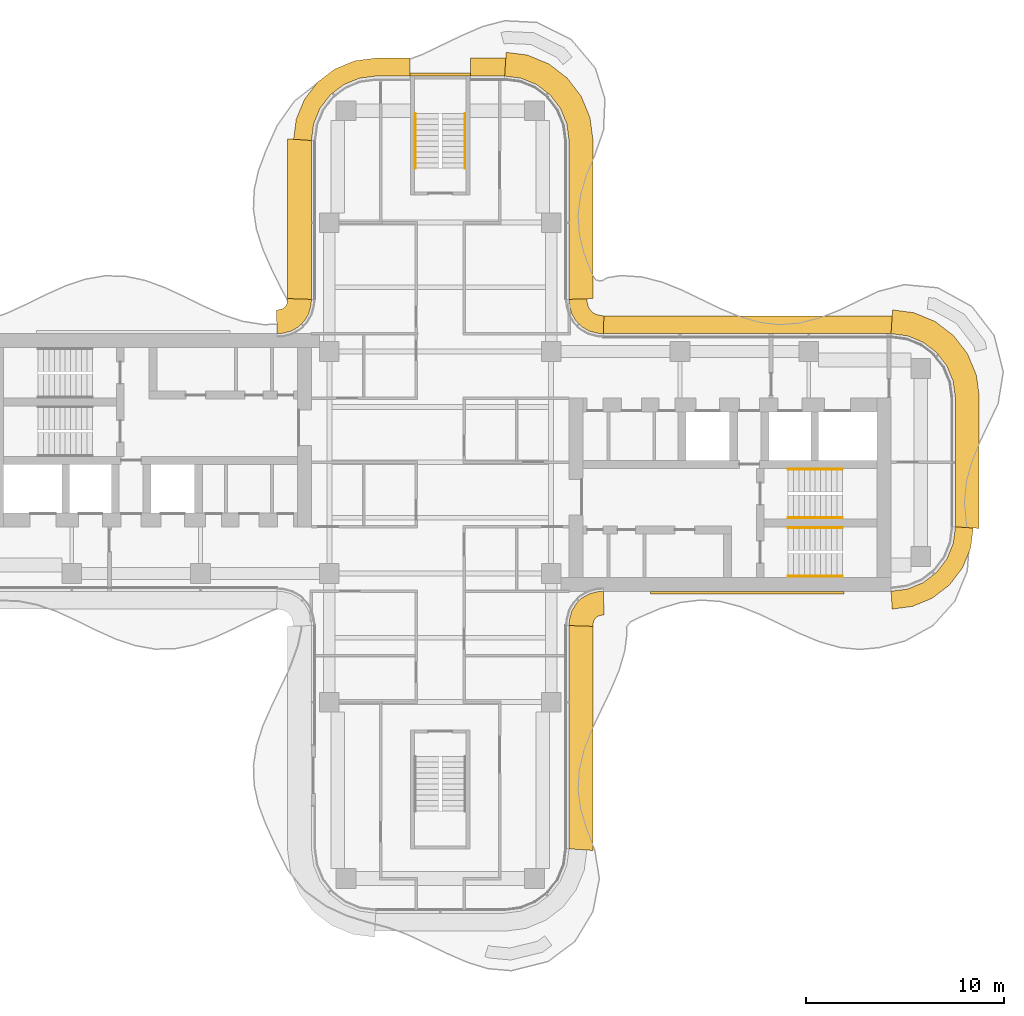
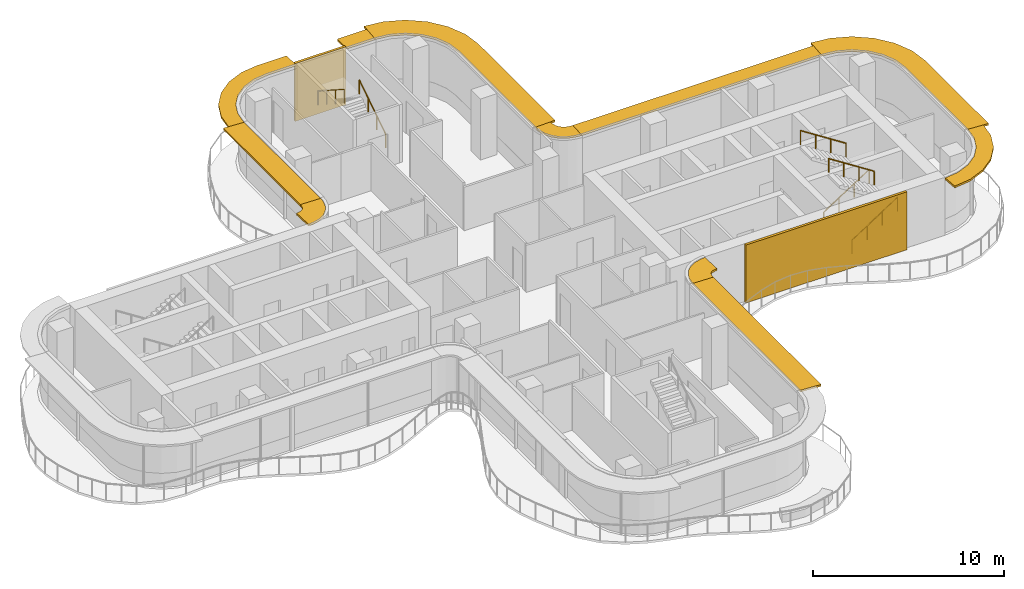
# One storey, part 16 of 16: 11 shading devices, 6 railings, 2 coverings.
"""IFC4 building model written with IfcOpenShell, lengths in metres."""

from ifc_helpers import new_model, si_unit, direction, frame, origin, origin_2d, place, context, subcontext, project, spatial, polyline, circle, outline, extrude, source, transform, mapped, material, layer, layer_set, type_object, element, save


model = new_model("IFC4")

# Units and contexts
model_context = context("Model", 3, precision=1e-05, world=origin(), true_north=direction((0.0, 1.0)))
body_context = subcontext(model_context, "Body", "Model", "MODEL_VIEW")
ifc_project = project(units=[si_unit("LENGTHUNIT", "METRE"), si_unit("AREAUNIT", "SQUARE_METRE"), si_unit("VOLUMEUNIT", "CUBIC_METRE"), si_unit("PLANEANGLEUNIT", "RADIAN"), si_unit("MASSUNIT", "GRAM", prefix="KILO")], contexts=[model_context])

# Site, building, storey
site_placement = place(None, origin())
site = spatial("IfcSite", under=ifc_project, at=site_placement, CompositionType="ELEMENT")
building_placement = place(site_placement, origin())
building = spatial("IfcBuilding", under=site, at=building_placement, Name="Trellis Farm Tower", CompositionType="ELEMENT")
storey_placement = place(building_placement, frame((0.0, 0.0, 306.699951171875)))
storey = spatial("IfcBuildingStorey", under=building, at=storey_placement, Name="L69", CompositionType="ELEMENT", Elevation=306.699951171875)

# Railings
ifc_material_1 = material(Name="Stainless steel", Category="steel")
railing_type = type_object("IfcRailingType", Name="STAIR HANDRAIL 900", PredefinedType="HANDRAIL", material=ifc_material_1)
shared_shape_1 = source(origin(), body_context, "Body", "SweptSolid", [
    extrude(circle(Radius=0.02392578125, at=origin_2d()), frame((0.0, 0.0, 0.8759765625), z_axis=(0.0, 0.840503830235, 0.541805602924), x_axis=(-1.0, 0.0, 0.0)), (0.0, 0.0, 1.0), 3.271728515625),
    extrude(circle(Radius=0.02099609375, at=origin_2d()), origin(), (0.0, 0.0, 1.0), 0.851806640625),
    extrude(circle(Radius=0.02099609375, at=origin_2d()), frame((0.0, 0.916748046875, 0.5908203125)), (0.0, 0.0, 1.0), 0.851806640625),
    extrude(circle(Radius=0.02099609375, at=origin_2d()), frame((0.0, 1.833251953125, 1.181884765625)), (0.0, 0.0, 1.0), 0.851806640625),
    extrude(circle(Radius=0.02099609375, at=origin_2d()), frame((0.0, 2.75, 1.772705078125)), (0.0, 0.0, 1.0), 0.851806640625),
])
railing_1_placement = place(storey_placement, frame((1.25, 14.85009765625, 0.17724609375)))
element("IfcRailing", 1, at=railing_1_placement, inside=storey, type_object=railing_type, Name="Stair handrail", PredefinedType="HANDRAIL", context=body_context, shape_type="MappedRepresentation", body=[
    mapped(shared_shape_1, transform((0.0, 0.0, 0.0))),
])
shared_shape_2 = source(origin(), body_context, "Body", "SweptSolid", [
    extrude(circle(Radius=0.02392578125, at=origin_2d()), frame((0.0, 0.0, 0.8759765625), z_axis=(0.0, -0.840503830235, 0.541805602924), x_axis=(1.0, 0.0, 0.0)), (0.0, 0.0, 1.0), 3.271728515625),
    extrude(circle(Radius=0.02099609375, at=origin_2d()), origin(), (0.0, 0.0, 1.0), 0.851806640625),
    extrude(circle(Radius=0.02099609375, at=origin_2d()), frame((0.0, -0.916748046875, 0.5908203125)), (0.0, 0.0, 1.0), 0.851806640625),
    extrude(circle(Radius=0.02099609375, at=origin_2d()), frame((0.0, -1.833251953125, 1.181884765625)), (0.0, 0.0, 1.0), 0.851806640625),
    extrude(circle(Radius=0.02099609375, at=origin_2d()), frame((0.0, -2.75, 1.772705078125)), (0.0, 0.0, 1.0), 0.851806640625),
])
railing_2_placement = place(storey_placement, frame((-1.25, 17.60009765625, 2.12744140625)))
element("IfcRailing", 2, at=railing_2_placement, inside=storey, type_object=railing_type, Name="Stair handrail", PredefinedType="HANDRAIL", context=body_context, shape_type="MappedRepresentation", body=[
    mapped(shared_shape_2, transform((0.0, 0.0, 0.0))),
])
shared_shape_3 = source(origin(), body_context, "Body", "SweptSolid", [
    extrude(circle(Radius=0.02392578125, at=origin_2d()), frame((0.0, 0.0, 0.8759765625), z_axis=(0.840503830235, 0.0, 0.541805602924), x_axis=(0.0, 1.0, 0.0)), (0.0, 0.0, 1.0), 3.271728515625),
    extrude(circle(Radius=0.02099609375, at=origin_2d()), origin(), (0.0, 0.0, 1.0), 0.851806640625),
    extrude(circle(Radius=0.02099609375, at=origin_2d()), frame((0.916748046875, 0.0, 0.5908203125)), (0.0, 0.0, 1.0), 0.851806640625),
    extrude(circle(Radius=0.02099609375, at=origin_2d()), frame((1.833251953125, 0.0, 1.181884765625)), (0.0, 0.0, 1.0), 0.851806640625),
    extrude(circle(Radius=0.02099609375, at=origin_2d()), frame((2.75, 0.0, 1.772705078125)), (0.0, 0.0, 1.0), 0.851806640625),
])
for number, where, name in (
    (3, (17.550048828125, -5.75, 0.17724609375), "Stair handrail"),
    (4, (17.550048828125, -2.800048828125, 0.17724609375), "Stair handrail"),
):
    element("IfcRailing", number, at=place(storey_placement, frame(where)), inside=storey, type_object=railing_type, Name=name, PredefinedType="HANDRAIL", context=body_context, shape_type="MappedRepresentation", body=[
        mapped(shared_shape_3, transform((0.0, 0.0, 0.0))),
    ])
shared_shape_4 = source(origin(), body_context, "Body", "SweptSolid", [
    extrude(circle(Radius=0.02392578125, at=origin_2d()), frame((0.0, 0.0, 0.8759765625), z_axis=(-0.840503830235, 0.0, 0.541805602924), x_axis=(0.0, -1.0, 0.0)), (0.0, 0.0, 1.0), 3.271728515625),
    extrude(circle(Radius=0.02099609375, at=origin_2d()), origin(), (0.0, 0.0, 1.0), 0.851806640625),
    extrude(circle(Radius=0.02099609375, at=origin_2d()), frame((-0.916748046875, 0.0, 0.5908203125)), (0.0, 0.0, 1.0), 0.851806640625),
    extrude(circle(Radius=0.02099609375, at=origin_2d()), frame((-1.833251953125, 0.0, 1.181884765625)), (0.0, 0.0, 1.0), 0.851806640625),
    extrude(circle(Radius=0.02099609375, at=origin_2d()), frame((-2.75, 0.0, 1.772705078125)), (0.0, 0.0, 1.0), 0.851806640625),
])
for number, where, name in (
    (5, (20.300048828125, -3.300048828125, 2.12744140625), "Stair handrail"),
    (6, (20.300048828125, -0.35009765625, 2.12744140625), "Stair handrail"),
):
    element("IfcRailing", number, at=place(storey_placement, frame(where)), inside=storey, type_object=railing_type, Name=name, PredefinedType="HANDRAIL", context=body_context, shape_type="MappedRepresentation", body=[
        mapped(shared_shape_4, transform((0.0, 0.0, 0.0))),
    ])

# Shading devices
ifc_material_2 = material(Name="Aluminium extrusion 6063-T6", Category="aluminium")
ifc_layer_1 = layer(ifc_material_2, 0.1201171875)
ifc_layer_set_1 = layer_set([ifc_layer_1], Name="SUNSHADE BLADE 1200")
shading_device_type_1 = type_object("IfcShadingDeviceType", Name="SUNSHADE BLADE 1200", PredefinedType="USERDEFINED", material=ifc_layer_set_1)
shared_shape_5 = source(origin(), body_context, "Body", "SweptSolid", [
    extrude(outline(polyline([(7.699951171875, -8.270751953125), (7.708740234375, -8.13720703125), (7.70703125, -8.150146484375), (7.7548828125, -7.9716796875), (7.80712890625, -7.881103515625), (7.881103515625, -7.80712890625), (7.9716796875, -7.7548828125), (8.150146484375, -7.70703125), (8.13720703125, -7.708740234375), (8.270751953125, -7.699951171875), (8.2314453125, -6.5), (8.01953125, -6.513916015625), (7.91552734375, -6.527587890625), (7.508544921875, -6.63671875), (7.144287109375, -6.846923828125), (6.846923828125, -7.144287109375), (6.63671875, -7.508544921875), (6.527587890625, -7.91552734375), (6.513916015625, -8.01953125), (6.5, -8.2314453125), (7.699951171875, -8.270751953125)])), origin(), (0.0, 0.0, 1.0), 0.1201171875),
])
placement_1 = place(storey_placement, frame((0.0, 0.0, 3.5400390625)))
element("IfcShadingDevice", 7, at=placement_1, inside=storey, type_object=shading_device_type_1, Name="SD2 006", ObjectType="SUNSHADE", PredefinedType="USERDEFINED", context=body_context, shape_type="MappedRepresentation", body=[
    mapped(shared_shape_5, transform((0.0, 0.0, 0.0))),
])
ifc_layer_2 = layer(ifc_material_2, 0.1201171875)
ifc_layer_set_2 = layer_set([ifc_layer_2], Name="SUNSHADE BLADE 900")
shading_device_type_2 = type_object("IfcShadingDeviceType", Name="SUNSHADE BLADE 900", PredefinedType="USERDEFINED", material=ifc_layer_set_2)
shared_shape_6 = source(origin(), body_context, "Body", "SweptSolid", [
    extrude(outline(polyline([(8.2607421875, 7.39990234375), (8.107666015625, 7.409912109375), (8.091552734375, 7.412109375), (7.85595703125, 7.475341796875), (7.697021484375, 7.567138671875), (7.567138671875, 7.697021484375), (7.475341796875, 7.85595703125), (7.412109375, 8.091552734375), (7.409912109375, 8.107666015625), (7.39990234375, 8.2607421875), (6.5, 8.2314453125), (6.513916015625, 8.01953125), (6.527587890625, 7.91552734375), (6.63671875, 7.508544921875), (6.846923828125, 7.144287109375), (7.144287109375, 6.846923828125), (7.508544921875, 6.63671875), (7.91552734375, 6.527587890625), (8.01953125, 6.513916015625), (8.2314453125, 6.5), (8.2607421875, 7.39990234375)])), origin(), (0.0, 0.0, 1.0), 0.1201171875),
])
element("IfcShadingDevice", 8, at=placement_1, inside=storey, type_object=shading_device_type_2, Name="SD1 010", ObjectType="SUNSHADE", PredefinedType="USERDEFINED", context=body_context, shape_type="MappedRepresentation", body=[
    mapped(shared_shape_6, transform((0.0, 0.0, 0.0))),
])
shared_shape_7 = source(origin(), body_context, "Body", "SweptSolid", [
    extrude(outline(polyline([(-7.699951171875, 8.270751953125), (-7.708740234375, 8.13720703125), (-7.70703125, 8.150146484375), (-7.7548828125, 7.9716796875), (-7.80712890625, 7.881103515625), (-7.881103515625, 7.80712890625), (-7.9716796875, 7.7548828125), (-8.150146484375, 7.70703125), (-8.13720703125, 7.708740234375), (-8.270751953125, 7.699951171875), (-8.2314453125, 6.5), (-8.01953125, 6.513916015625), (-7.91552734375, 6.527587890625), (-7.508544921875, 6.63671875), (-7.144287109375, 6.846923828125), (-6.846923828125, 7.144287109375), (-6.63671875, 7.508544921875), (-6.527587890625, 7.91552734375), (-6.513916015625, 8.01953125), (-6.5, 8.2314453125), (-7.699951171875, 8.270751953125)])), origin(), (0.0, 0.0, 1.0), 0.1201171875),
])
element("IfcShadingDevice", 9, at=placement_1, inside=storey, type_object=shading_device_type_1, Name="SD2 015", ObjectType="SUNSHADE", PredefinedType="USERDEFINED", context=body_context, shape_type="MappedRepresentation", body=[
    mapped(shared_shape_7, transform((0.0, 0.0, 0.0))),
])
shared_shape_8 = source(origin(), body_context, "Body", "SweptSolid", [
    extrude(outline(polyline([(22.80908203125, -7.39990234375), (23.826171875, -7.26611328125), (24.828857421875, -6.850830078125), (25.68994140625, -6.18994140625), (26.350830078125, -5.328857421875), (26.76611328125, -4.326171875), (26.89990234375, -3.30908203125), (26.0, -3.25), (25.88916015625, -4.091064453125), (25.564697265625, -4.875), (25.048095703125, -5.548095703125), (24.375, -6.064697265625), (23.591064453125, -6.38916015625), (22.75, -6.5), (22.80908203125, -7.39990234375)])), origin(), (0.0, 0.0, 1.0), 0.1201171875),
])
element("IfcShadingDevice", 10, at=placement_1, inside=storey, type_object=shading_device_type_2, Name="SD1 007", ObjectType="SUNSHADE", PredefinedType="USERDEFINED", context=body_context, shape_type="MappedRepresentation", body=[
    mapped(shared_shape_8, transform((0.0, 0.0, 0.0))),
])
shared_shape_9 = source(origin(), body_context, "Body", "SweptSolid", [
    extrude(outline(polyline([(27.199951171875, -3.32861328125), (27.199951171875, 3.32861328125), (27.058349609375, 4.404541015625), (26.61279296875, 5.480224609375), (25.904052734375, 6.404052734375), (24.980224609375, 7.11279296875), (23.904541015625, 7.558349609375), (22.82861328125, 7.699951171875), (22.75, 6.5), (23.591064453125, 6.38916015625), (24.375, 6.064697265625), (25.048095703125, 5.548095703125), (25.564697265625, 4.875), (25.88916015625, 4.091064453125), (26.0, 3.25), (26.0, -3.25), (27.199951171875, -3.32861328125)])), origin(), (0.0, 0.0, 1.0), 0.1201171875),
])
element("IfcShadingDevice", 11, at=placement_1, inside=storey, type_object=shading_device_type_1, Name="SD2 008", ObjectType="SUNSHADE", PredefinedType="USERDEFINED", context=body_context, shape_type="MappedRepresentation", body=[
    mapped(shared_shape_9, transform((0.0, 0.0, 0.0))),
])
shared_shape_10 = source(origin(), body_context, "Body", "SweptSolid", [
    extrude(outline(polyline([(22.80908203125, 7.39990234375), (8.2607421875, 7.39990234375), (8.2314453125, 6.5), (22.75, 6.5), (22.80908203125, 7.39990234375)])), origin(), (0.0, 0.0, 1.0), 0.1201171875),
])
element("IfcShadingDevice", 12, at=placement_1, inside=storey, type_object=shading_device_type_2, Name="SD1 009", ObjectType="SUNSHADE", PredefinedType="USERDEFINED", context=body_context, shape_type="MappedRepresentation", body=[
    mapped(shared_shape_10, transform((0.0, 0.0, 0.0))),
])

# Covering
ifc_material_3 = material(Name="Perforated precast screen (cobogo)", Category="concrete")
ifc_layer_3 = layer(ifc_material_3, 0.14990234375)
ifc_layer_set_3 = layer_set([ifc_layer_3], Name="COBOGO SCREEN PANEL")
covering_type = type_object("IfcCoveringType", Name="COBOGO SCREEN PANEL", PredefinedType="USERDEFINED", material=ifc_layer_set_3)
shared_shape_11 = source(origin(), body_context, "Body", "SweptSolid", [
    extrude(outline(polyline([(10.61572265625, -6.64990234375), (20.36572265625, -6.64990234375), (20.36572265625, -6.5), (10.61572265625, -6.5), (10.61572265625, -6.64990234375)])), origin(), (0.0, 0.0, 1.0), 3.699951171875),
])
placement_2 = place(storey_placement, origin())
element("IfcCovering", 13, at=placement_2, inside=storey, type_object=covering_type, Name="SC1 01", ObjectType="SCREEN", PredefinedType="USERDEFINED", context=body_context, shape_type="MappedRepresentation", body=[
    mapped(shared_shape_11, transform((0.0, 0.0, 0.0))),
])

# Shading device
shared_shape_12 = source(origin(), body_context, "Body", "SweptSolid", [
    extrude(outline(polyline([(7.699951171875, -19.57861328125), (7.699951171875, -8.270751953125), (6.5, -8.2314453125), (6.5, -19.5), (7.699951171875, -19.57861328125)])), origin(), (0.0, 0.0, 1.0), 0.1201171875),
])
element("IfcShadingDevice", 14, at=placement_1, inside=storey, type_object=shading_device_type_1, Name="SD2 005", ObjectType="SUNSHADE", PredefinedType="USERDEFINED", context=body_context, shape_type="MappedRepresentation", body=[
    mapped(shared_shape_12, transform((0.0, 0.0, 0.0))),
])

# Covering
shared_shape_13 = source(origin(), body_context, "Body", "SweptSolid", [
    extrude(outline(polyline([(1.530029296875, 19.64990234375), (-1.530029296875, 19.64990234375), (-1.530029296875, 19.5), (1.530029296875, 19.5), (1.530029296875, 19.64990234375)])), origin(), (0.0, 0.0, 1.0), 3.699951171875),
])
element("IfcCovering", 15, at=placement_2, inside=storey, type_object=covering_type, Name="SC1 02", ObjectType="SCREEN", PredefinedType="USERDEFINED", context=body_context, shape_type="MappedRepresentation", body=[
    mapped(shared_shape_13, transform((0.0, 0.0, 0.0))),
])

# Shading devices
shared_shape_14 = source(origin(), body_context, "Body", "SweptSolid", [
    extrude(outline(polyline([(7.699951171875, 8.270751953125), (7.699951171875, 16.32861328125), (7.558349609375, 17.404541015625), (7.11279296875, 18.480224609375), (6.404052734375, 19.404052734375), (5.480224609375, 20.11279296875), (4.404541015625, 20.558349609375), (3.32861328125, 20.699951171875), (3.25, 19.5), (4.091064453125, 19.38916015625), (4.875, 19.064697265625), (5.548095703125, 18.548095703125), (6.064697265625, 17.875), (6.38916015625, 17.091064453125), (6.5, 16.25), (6.5, 8.2314453125), (7.699951171875, 8.270751953125)])), origin(), (0.0, 0.0, 1.0), 0.1201171875),
])
element("IfcShadingDevice", 16, at=placement_1, inside=storey, type_object=shading_device_type_1, Name="SD2 011", ObjectType="SUNSHADE", PredefinedType="USERDEFINED", context=body_context, shape_type="MappedRepresentation", body=[
    mapped(shared_shape_14, transform((0.0, 0.0, 0.0))),
])
shared_shape_15 = source(origin(), body_context, "Body", "SweptSolid", [
    extrude(outline(polyline([(3.30908203125, 20.39990234375), (1.530029296875, 20.39990234375), (1.530029296875, 19.5), (3.25, 19.5), (3.30908203125, 20.39990234375)])), origin(), (0.0, 0.0, 1.0), 0.1201171875),
])
element("IfcShadingDevice", 17, at=placement_1, inside=storey, type_object=shading_device_type_2, Name="SD1 012", ObjectType="SUNSHADE", PredefinedType="USERDEFINED", context=body_context, shape_type="MappedRepresentation", body=[
    mapped(shared_shape_15, transform((0.0, 0.0, 0.0))),
])
shared_shape_16 = source(origin(), body_context, "Body", "SweptSolid", [
    extrude(outline(polyline([(-1.530029296875, 20.39990234375), (-3.30908203125, 20.39990234375), (-4.326171875, 20.26611328125), (-5.328857421875, 19.850830078125), (-6.18994140625, 19.18994140625), (-6.850830078125, 18.328857421875), (-7.26611328125, 17.326171875), (-7.39990234375, 16.30908203125), (-6.5, 16.25), (-6.38916015625, 17.091064453125), (-6.064697265625, 17.875), (-5.548095703125, 18.548095703125), (-4.875, 19.064697265625), (-4.091064453125, 19.38916015625), (-3.25, 19.5), (-1.530029296875, 19.5), (-1.530029296875, 20.39990234375)])), origin(), (0.0, 0.0, 1.0), 0.1201171875),
])
element("IfcShadingDevice", 18, at=placement_1, inside=storey, type_object=shading_device_type_2, Name="SD1 013", ObjectType="SUNSHADE", PredefinedType="USERDEFINED", context=body_context, shape_type="MappedRepresentation", body=[
    mapped(shared_shape_16, transform((0.0, 0.0, 0.0))),
])
shared_shape_17 = source(origin(), body_context, "Body", "SweptSolid", [
    extrude(outline(polyline([(-7.699951171875, 16.32861328125), (-7.699951171875, 8.270751953125), (-6.5, 8.2314453125), (-6.5, 16.25), (-7.699951171875, 16.32861328125)])), origin(), (0.0, 0.0, 1.0), 0.1201171875),
])
element("IfcShadingDevice", 19, at=placement_1, inside=storey, type_object=shading_device_type_1, Name="SD2 014", ObjectType="SUNSHADE", PredefinedType="USERDEFINED", context=body_context, shape_type="MappedRepresentation", body=[
    mapped(shared_shape_17, transform((0.0, 0.0, 0.0))),
])

save(model, "model.ifc")
